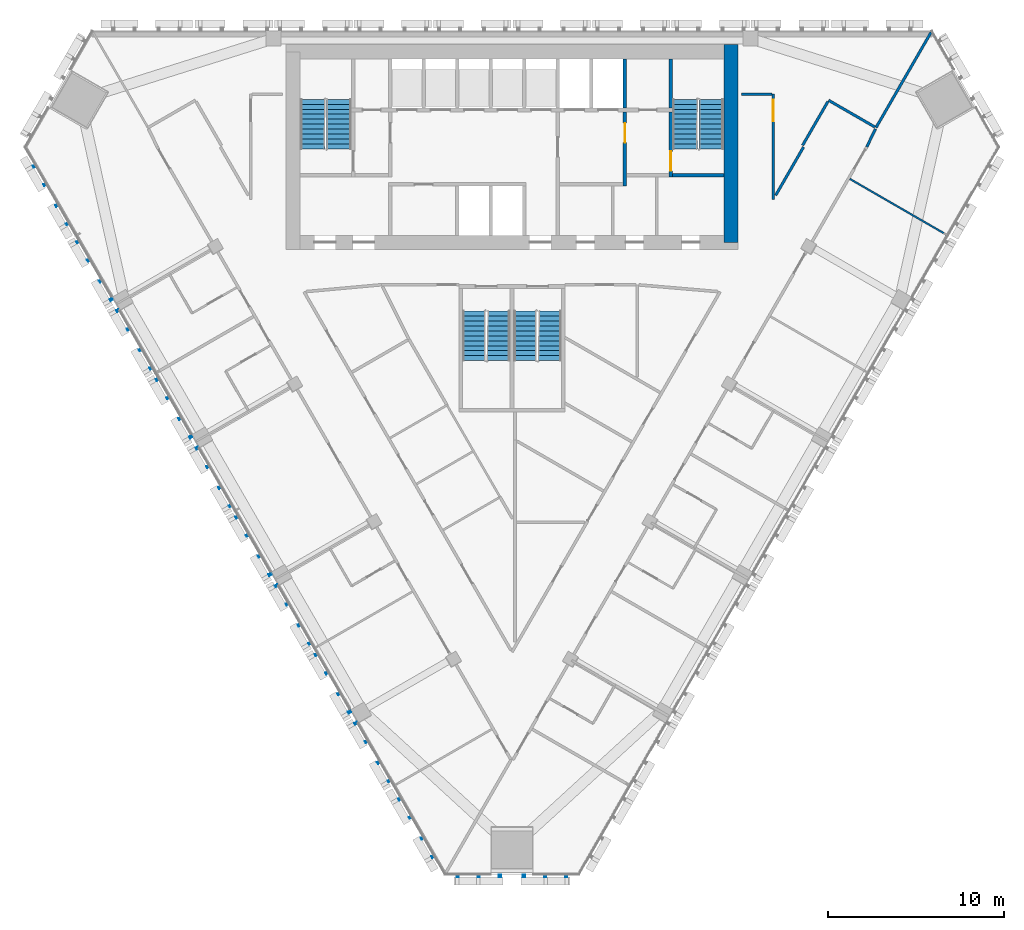
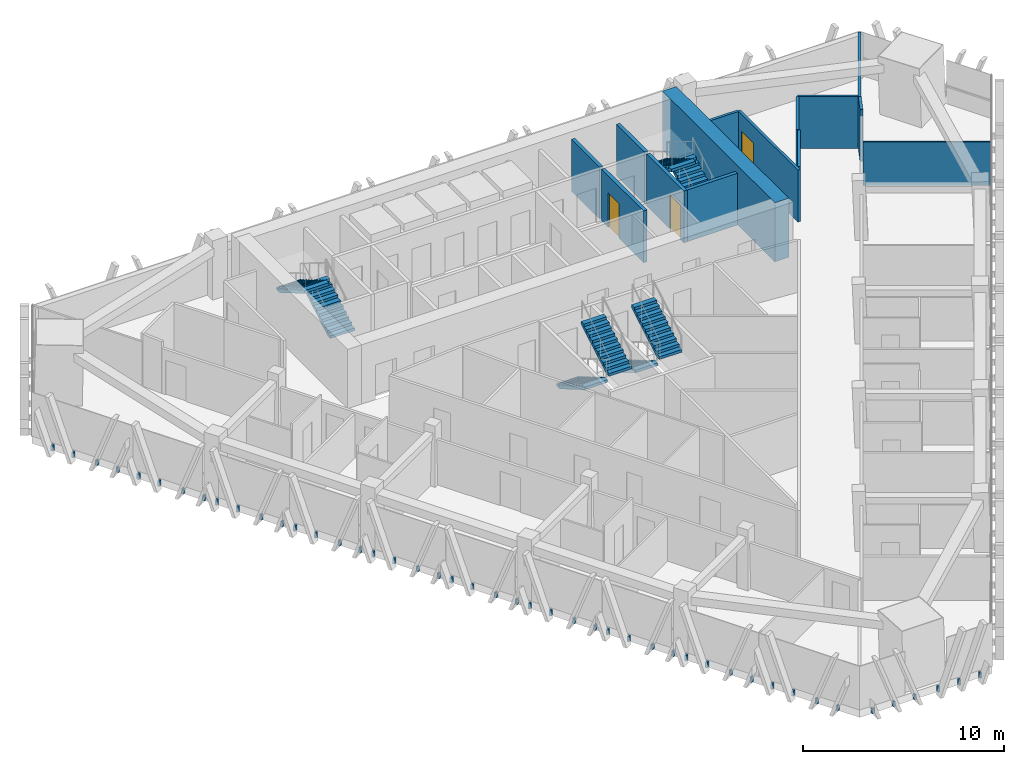
# One storey, part 12 of 16: 14 walls, 8 stair flights, 3 doors, 2 discrete accessories, 3 openings, 4 elements without a shape of their own.
"""IFC4 building model written with IfcOpenShell, lengths in metres."""

from ifc_helpers import new_model, si_unit, direction, frame, frame_2d, origin, place, context, subcontext, project, spatial, polyline, rectangle, outline, extrude, source, transform, mapped, material, layer, layer_set, type_object, element, fill, aggregate, save


model = new_model("IFC4")

# Units and contexts
model_context = context("Model", 3, precision=1e-05, world=origin(), true_north=direction((0.0, 1.0)))
body_context = subcontext(model_context, "Body", "Model", "MODEL_VIEW")
ifc_project = project(units=[si_unit("LENGTHUNIT", "METRE"), si_unit("AREAUNIT", "SQUARE_METRE"), si_unit("VOLUMEUNIT", "CUBIC_METRE"), si_unit("PLANEANGLEUNIT", "RADIAN"), si_unit("MASSUNIT", "GRAM", prefix="KILO")], contexts=[model_context])

# Site, building, storey
site_placement = place(None, origin())
site = spatial("IfcSite", under=ifc_project, at=site_placement, CompositionType="ELEMENT")
building_placement = place(site_placement, origin())
building = spatial("IfcBuilding", under=site, at=building_placement, Name="Altiplano Prism Tower", CompositionType="ELEMENT")
storey_placement = place(building_placement, frame((0.0, 0.0, 138.60009765625)))
storey = spatial("IfcBuildingStorey", under=building, at=storey_placement, Name="L35", CompositionType="ELEMENT", Elevation=138.60009765625)

# Walls
ifc_material_1 = material(Name="Concrete C60/75", Category="concrete")
ifc_layer_1 = layer(ifc_material_1, 0.800048828125)
ifc_layer_set_1 = layer_set([ifc_layer_1], Name="Concrete C60/75")
wall_type_1 = type_object("IfcWallType", Name="Core wall 800", PredefinedType="SHEAR", material=ifc_layer_set_1)
wall_1_placement = place(storey_placement, frame((97.39990234375, 93.0, 0.0), z_axis=(0.0, 0.0, 1.0), x_axis=(0.0, 1.0, 0.0)))
element("IfcWall", 1, at=wall_1_placement, inside=storey, type_object=wall_type_1, Name="Core wall E L35", PredefinedType="SHEAR", context=body_context, shape_type="SweptSolid", body=[
    extrude(rectangle(XDim=11.199951171875, YDim=0.800048828125, at=frame_2d((5.60009765625, 0.0))), origin(), (0.0, 0.0, 1.0), 3.599853515625),
])
ifc_material_2 = material(Name="Plasterboard on steel stud", Category="steel")
ifc_layer_2 = layer(ifc_material_2, 0.10009765625)
ifc_layer_set_2 = layer_set([ifc_layer_2], Name="Plasterboard on steel stud")
wall_type_2 = type_object("IfcWallType", Name="Partition 100 wet", PredefinedType="PARTITIONING", material=ifc_layer_set_2)
wall_2_placement = place(storey_placement, frame((109.6376953125, 93.42333984375, 0.0), z_axis=(0.0, 0.0, 1.0), x_axis=(-0.866025401434, 0.500000004071, 0.0)))
element("IfcWall", 2, at=wall_2_placement, inside=storey, type_object=wall_type_2, Name="Partition P03 L35 059", PredefinedType="PARTITIONING", context=body_context, shape_type="SweptSolid", body=[
    extrude(rectangle(XDim=6.34521484375, YDim=0.10009765625, at=frame_2d((3.172607421875, 0.0))), origin(), (0.0, 0.0, 1.0), 2.64990234375),
])
ifc_layer_3 = layer(ifc_material_2, 0.14990234375)
ifc_layer_set_3 = layer_set([ifc_layer_3], Name="Plasterboard on steel stud")
wall_type_3 = type_object("IfcWallType", Name="Partition 150 corridor", PredefinedType="PARTITIONING", material=ifc_layer_set_3)
wall_3_placement = place(storey_placement, frame((105.101318359375, 98.40625, 0.0), z_axis=(0.0, 0.0, 1.0), x_axis=(0.432472883735, 0.901646940234, 0.0)))
element("IfcWall", 3, at=wall_3_placement, inside=storey, type_object=wall_type_3, Name="Partition P06 L35 006", PredefinedType="PARTITIONING", context=body_context, shape_type="SweptSolid", body=[
    extrude(rectangle(XDim=1.137451171875, YDim=0.14990234375, at=frame_2d((0.56884765625, 0.0))), origin(), (0.0, 0.0, 1.0), 3.14990234375),
])
wall_4_placement = place(storey_placement, frame((105.559326171875, 99.53759765625, 0.0), z_axis=(0.0, 0.0, 1.0), x_axis=(-0.866024298998, 0.500001913541, 0.0)))
element("IfcWall", 4, at=wall_4_placement, inside=storey, type_object=wall_type_3, Name="Partition P06 L35 007", PredefinedType="PARTITIONING", context=body_context, shape_type="SweptSolid", body=[
    extrude(rectangle(XDim=3.02490234375, YDim=0.14990234375, at=frame_2d((1.512451171875, 0.0))), origin(), (0.0, 0.0, 1.0), 3.14990234375),
])
wall_5_placement = place(storey_placement, frame((102.902099609375, 100.985107421875, 0.0), z_axis=(0.0, 0.0, 1.0), x_axis=(-0.499945861543, -0.866056658381, 0.0)))
element("IfcWall", 5, at=wall_5_placement, inside=storey, type_object=wall_type_3, Name="Partition P06 L35 008", PredefinedType="PARTITIONING", context=body_context, shape_type="SweptSolid", body=[
    extrude(rectangle(XDim=2.869384765625, YDim=0.14990234375, at=frame_2d((1.4345703125, 0.0))), origin(), (0.0, 0.0, 1.0), 3.14990234375),
])
wall_6_placement = place(storey_placement, frame((101.521728515625, 98.40625, 0.0), z_axis=(0.0, 0.0, 1.0), x_axis=(-0.499998569178, -0.866026229868, 0.0)))
element("IfcWall", 6, at=wall_6_placement, inside=storey, type_object=wall_type_3, Name="Partition P06 L35 009", PredefinedType="PARTITIONING", context=body_context, shape_type="SweptSolid", body=[
    extrude(rectangle(XDim=3.16357421875, YDim=0.14990234375, at=frame_2d((1.581787109375, 0.0))), origin(), (0.0, 0.0, 1.0), 3.14990234375),
])

# Wall, opening, door
wall_7_placement = place(storey_placement, frame((99.800048828125, 95.424072265625, 0.0), z_axis=(0.0, 0.0, 1.0), x_axis=(0.0, 1.0, 0.0)))
wall_7 = element("IfcWall", 7, at=wall_7_placement, inside=storey, type_object=wall_type_3, Name="Partition P06 L35 010", PredefinedType="PARTITIONING", context=body_context, shape_type="SweptSolid", body=[
    extrude(rectangle(XDim=5.975830078125, YDim=0.14990234375, at=frame_2d((2.98779296875, 0.0))), origin(), (0.0, 0.0, 1.0), 3.14990234375),
])
opening_1_placement = place(wall_7_placement, frame((4.447021484375, 0.0, 0.0)))
opening_1 = element("IfcOpeningElement", 8, at=opening_1_placement, cuts=wall_7, Name="Opening D1286", PredefinedType="OPENING", context=body_context, shape_type="SweptSolid", body=[
    extrude(rectangle(XDim=1.199951171875, YDim=2.10009765625, at=frame_2d((0.60009765625, 1.050048828125))), frame((0.0, 0.08544921875, 0.0), z_axis=(0.0, -1.0, 0.0), x_axis=(1.0, 0.0, 0.0)), (0.0, 0.0, 1.0), 0.1708984375),
])
ifc_material_3 = material(Name="Timber", Category="wood")
door_type_1 = type_object("IfcDoorType", Name="Shared room door 1200 x 2100", OperationType="NOTDEFINED", PredefinedType="NOTDEFINED", material=ifc_material_3)
door_1_placement = place(opening_1_placement, origin())
door_1 = element("IfcDoor", 9, at=door_1_placement, inside=storey, type_object=door_type_1, Name="Door D1286", OperationType="SINGLE_SWING_RIGHT", OverallHeight=2.10009765625, OverallWidth=1.199951171875, PredefinedType="NOTDEFINED", context=body_context, shape_type="SweptSolid", body=[
    extrude(rectangle(XDim=1.199951171875, YDim=2.10009765625, at=frame_2d((0.60009765625, 1.050048828125))), frame((0.0, 0.02490234375, 0.0), z_axis=(0.0, -1.0, 0.0), x_axis=(1.0, 0.0, 0.0)), (0.0, 0.0, 1.0), 0.050048828125),
])
fill(opening_1, door_1)

# Walls
wall_8_placement = place(storey_placement, frame((99.72509765625, 101.39990234375, 0.0), z_axis=(0.0, 0.0, 1.0), x_axis=(-1.0, 0.0, 0.0)))
element("IfcWall", 10, at=wall_8_placement, inside=storey, type_object=wall_type_3, Name="Partition P06 L35 011", PredefinedType="PARTITIONING", context=body_context, shape_type="SweptSolid", body=[
    extrude(rectangle(XDim=1.72509765625, YDim=0.14990234375, at=frame_2d((0.862548828125, 0.0))), origin(), (0.0, 0.0, 1.0), 3.14990234375),
])
ifc_layer_4 = layer(ifc_material_2, 0.14990234375)
ifc_layer_set_4 = layer_set([ifc_layer_4], Name="Plasterboard on steel stud")
wall_type_4 = type_object("IfcWallType", Name="Partition 150 party", PredefinedType="PARTITIONING", material=ifc_layer_set_4)
wall_9_placement = place(storey_placement, frame((108.741943359375, 104.89990234375, 0.0), z_axis=(0.0, 0.0, 1.0), x_axis=(-0.500004896655, -0.866022576681, 0.0)))
element("IfcWall", 11, at=wall_9_placement, inside=storey, type_object=wall_type_4, Name="Partition P01 L35 060", PredefinedType="PARTITIONING", context=body_context, shape_type="SweptSolid", body=[
    extrude(rectangle(XDim=6.2353515625, YDim=0.14990234375, at=frame_2d((3.11767578125, 0.0))), origin(), (0.0, 0.0, 1.0), 2.64990234375),
])
ifc_layer_5 = layer(ifc_material_1, 0.199951171875)
ifc_layer_set_5 = layer_set([ifc_layer_5], Name="Concrete C60/75")
wall_type_5 = type_object("IfcWallType", Name="Shaft wall 200", PredefinedType="SOLIDWALL", material=ifc_layer_set_5)
wall_10_placement = place(storey_placement, frame((91.39990234375, 100.60009765625, 0.0), z_axis=(0.0, 0.0, 1.0), x_axis=(0.0, 1.0, 0.0)))
element("IfcWall", 12, at=wall_10_placement, inside=storey, type_object=wall_type_5, Name="Shaft wall L35", PredefinedType="SOLIDWALL", context=body_context, shape_type="SweptSolid", body=[
    extrude(rectangle(XDim=2.7998046875, YDim=0.199951171875, at=frame_2d((1.39990234375, 0.0))), origin(), (0.0, 0.0, 1.0), 3.14990234375),
])

# Wall, opening, door
ifc_layer_6 = layer(ifc_material_1, 0.199951171875)
ifc_layer_set_6 = layer_set([ifc_layer_6], Name="Concrete C60/75")
wall_type_6 = type_object("IfcWallType", Name="Stair wall 200", PredefinedType="SOLIDWALL", material=ifc_layer_set_6)
wall_11_placement = place(storey_placement, frame((94.0, 96.699951171875, 0.0), z_axis=(0.0, 0.0, 1.0), x_axis=(0.0, 1.0, 0.0)))
wall_11 = element("IfcWall", 13, at=wall_11_placement, inside=storey, type_object=wall_type_6, Name="Stair wall L35", PredefinedType="SOLIDWALL", context=body_context, shape_type="SweptSolid", body=[
    extrude(rectangle(XDim=3.699951171875, YDim=0.199951171875, at=frame_2d((1.85009765625, 0.0))), origin(), (0.0, 0.0, 1.0), 3.14990234375),
])
opening_2_placement = place(wall_11_placement, frame((0.35009765625, 0.0, 0.0)))
opening_2 = element("IfcOpeningElement", 14, at=opening_2_placement, cuts=wall_11, Name="Opening D3054", PredefinedType="OPENING", context=body_context, shape_type="SweptSolid", body=[
    extrude(rectangle(XDim=1.10009765625, YDim=2.10009765625, at=frame_2d((0.550048828125, 1.050048828125))), frame((0.0, 0.1103515625, 0.0), z_axis=(0.0, -1.0, 0.0), x_axis=(1.0, 0.0, 0.0)), (0.0, 0.0, 1.0), 0.220947265625),
])
ifc_material_4 = material(Name="Fire-rated steel door", Category="steel")
door_type_2 = type_object("IfcDoorType", Name="Stair fire door 1100 x 2100", OperationType="NOTDEFINED", PredefinedType="NOTDEFINED", material=ifc_material_4)
door_2_placement = place(opening_2_placement, origin())
door_2 = element("IfcDoor", 15, at=door_2_placement, inside=storey, type_object=door_type_2, Name="Stair fire door D3054", OperationType="SINGLE_SWING_LEFT", OverallHeight=2.10009765625, OverallWidth=1.10009765625, PredefinedType="NOTDEFINED", context=body_context, shape_type="SweptSolid", body=[
    extrude(rectangle(XDim=1.10009765625, YDim=2.10009765625, at=frame_2d((0.550048828125, 1.050048828125))), frame((0.0, 0.02490234375, 0.0), z_axis=(0.0, -1.0, 0.0), x_axis=(1.0, 0.0, 0.0)), (0.0, 0.0, 1.0), 0.050048828125),
])
fill(opening_2, door_2)

# Walls
wall_12_placement = place(storey_placement, frame((94.10009765625, 96.800048828125, 0.0), z_axis=(0.0, 0.0, 1.0), x_axis=(1.0, 0.0, 0.0)))
element("IfcWall", 16, at=wall_12_placement, inside=storey, type_object=wall_type_6, Name="Stair wall L35", PredefinedType="SOLIDWALL", context=body_context, shape_type="SweptSolid", body=[
    extrude(rectangle(XDim=2.89990234375, YDim=0.199951171875, at=frame_2d((1.449951171875, 0.0))), origin(), (0.0, 0.0, 1.0), 3.14990234375),
])
wall_13_placement = place(storey_placement, frame((94.0, 100.60009765625, 0.0), z_axis=(0.0, 0.0, 1.0), x_axis=(0.0, 1.0, 0.0)))
element("IfcWall", 17, at=wall_13_placement, inside=storey, type_object=wall_type_6, Name="Stair wall L35", PredefinedType="SOLIDWALL", context=body_context, shape_type="SweptSolid", body=[
    extrude(rectangle(XDim=2.7998046875, YDim=0.199951171875, at=frame_2d((1.39990234375, 0.0))), origin(), (0.0, 0.0, 1.0), 3.14990234375),
])

# Wall, opening, door
ifc_layer_7 = layer(ifc_material_1, 0.199951171875)
ifc_layer_set_7 = layer_set([ifc_layer_7], Name="Concrete C60/75")
wall_type_7 = type_object("IfcWallType", Name="Vestibule wall 200", PredefinedType="PARTITIONING", material=ifc_layer_set_7)
wall_14_placement = place(storey_placement, frame((91.39990234375, 96.199951171875, 0.0), z_axis=(0.0, 0.0, 1.0), x_axis=(0.0, 1.0, 0.0)))
wall_14 = element("IfcWall", 18, at=wall_14_placement, inside=storey, type_object=wall_type_7, Name="Vestibule wall L35", PredefinedType="PARTITIONING", context=body_context, shape_type="SweptSolid", body=[
    extrude(rectangle(XDim=4.199951171875, YDim=0.199951171875, at=frame_2d((2.10009765625, 0.0))), origin(), (0.0, 0.0, 1.0), 3.14990234375),
])
opening_3_placement = place(wall_14_placement, frame((2.449951171875, 0.0, 0.0)))
opening_3 = element("IfcOpeningElement", 19, at=opening_3_placement, cuts=wall_14, Name="Opening D3057", PredefinedType="OPENING", context=body_context, shape_type="SweptSolid", body=[
    extrude(rectangle(XDim=1.10009765625, YDim=2.10009765625, at=frame_2d((0.550048828125, 1.050048828125))), frame((0.0, 0.1103515625, 0.0), z_axis=(0.0, -1.0, 0.0), x_axis=(1.0, 0.0, 0.0)), (0.0, 0.0, 1.0), 0.220947265625),
])
door_type_3 = type_object("IfcDoorType", Name="Vestibule fire door 1100 x 2100", OperationType="NOTDEFINED", PredefinedType="NOTDEFINED", material=ifc_material_4)
door_3_placement = place(opening_3_placement, origin())
door_3 = element("IfcDoor", 20, at=door_3_placement, inside=storey, type_object=door_type_3, Name="Vestibule fire door D3057", OperationType="SINGLE_SWING_LEFT", OverallHeight=2.10009765625, OverallWidth=1.10009765625, PredefinedType="NOTDEFINED", context=body_context, shape_type="SweptSolid", body=[
    extrude(rectangle(XDim=1.10009765625, YDim=2.10009765625, at=frame_2d((0.550048828125, 1.050048828125))), frame((0.0, 0.02490234375, 0.0), z_axis=(0.0, -1.0, 0.0), x_axis=(1.0, 0.0, 0.0)), (0.0, 0.0, 1.0), 0.050048828125),
])
fill(opening_3, door_3)

# Stair, stair flights
ifc_material_5 = material(Name="Concrete C40/50", Category="concrete")
stair_type_1 = type_object("IfcStairType", Name="Exit stair 1400", PredefinedType="HALF_TURN_STAIR", material=ifc_material_5)
stair_1_placement = place(storey_placement, origin())
stair_1 = element("IfcStair", 21, at=stair_1_placement, inside=storey, type_object=stair_type_1, Name="L35 Exit Stair 1", PredefinedType="HALF_TURN_STAIR")
stair_flight_type = type_object("IfcStairFlightType", Name="Stair flight concrete 150", PredefinedType="STRAIGHT", material=ifc_material_5)
stair_flight_1_placement = place(storey_placement, frame((75.199951171875, 98.300048828125, 0.0), z_axis=(0.0, 0.0, 1.0), x_axis=(0.0, 1.0, 0.0)))
stair_flight_1 = element("IfcStairFlight", 22, at=stair_flight_1_placement, type_object=stair_flight_type, Name="ST1 flight 1", NumberOfRisers=11, NumberOfTreads=10, PredefinedType="STRAIGHT", RiserHeight=0.163636364, TreadLength=0.28, context=body_context, shape_type="SweptSolid", body=[
    extrude(outline(polyline([(0.0, 0.0), (0.0, 0.16357421875), (0.280029296875, 0.16357421875), (0.280029296875, 0.327392578125), (0.56005859375, 0.327392578125), (0.56005859375, 0.490966796875), (0.840087890625, 0.490966796875), (0.840087890625, 0.654541015625), (1.1201171875, 0.654541015625), (1.1201171875, 0.818115234375), (1.39990234375, 0.818115234375), (1.39990234375, 0.98193359375), (1.679931640625, 0.98193359375), (1.679931640625, 1.1455078125), (1.9599609375, 1.1455078125), (1.9599609375, 1.30908203125), (2.239990234375, 1.30908203125), (2.239990234375, 1.47265625), (2.52001953125, 1.47265625), (2.52001953125, 1.636474609375), (2.800048828125, 1.636474609375), (2.800048828125, 1.800048828125), (2.800048828125, 1.462646484375), (0.297119140625, 0.0), (0.0, 0.0)])), frame((0.0, 0.699951171875, 0.0), z_axis=(0.0, -1.0, 0.0), x_axis=(1.0, 0.0, 0.0)), (0.0, 0.0, 1.0), 1.39990234375),
])
stair_flight_2_placement = place(storey_placement, frame((73.699951171875, 101.10009765625, 1.7998046875), z_axis=(0.0, 0.0, 1.0), x_axis=(0.0, -1.0, 0.0)))
stair_flight_2 = element("IfcStairFlight", 23, at=stair_flight_2_placement, type_object=stair_flight_type, Name="ST1 flight 2", NumberOfRisers=11, NumberOfTreads=10, PredefinedType="STRAIGHT", RiserHeight=0.163636364, TreadLength=0.28, context=body_context, shape_type="SweptSolid", body=[
    extrude(outline(polyline([(0.0, 0.0), (0.0, 0.16357421875), (0.280029296875, 0.16357421875), (0.280029296875, 0.327392578125), (0.56005859375, 0.327392578125), (0.56005859375, 0.490966796875), (0.840087890625, 0.490966796875), (0.840087890625, 0.654541015625), (1.1201171875, 0.654541015625), (1.1201171875, 0.818115234375), (1.39990234375, 0.818115234375), (1.39990234375, 0.98193359375), (1.679931640625, 0.98193359375), (1.679931640625, 1.1455078125), (1.9599609375, 1.1455078125), (1.9599609375, 1.30908203125), (2.239990234375, 1.30908203125), (2.239990234375, 1.47265625), (2.52001953125, 1.47265625), (2.52001953125, 1.636474609375), (2.800048828125, 1.636474609375), (2.800048828125, 1.800048828125), (2.800048828125, 1.462646484375), (0.297119140625, 0.0), (0.0, 0.0)])), frame((0.0, 0.699951171875, 0.0), z_axis=(0.0, -1.0, 0.0), x_axis=(1.0, 0.0, 0.0)), (0.0, 0.0, 1.0), 1.39990234375),
])
aggregate(stair_1, [stair_flight_1, stair_flight_2])

stair_2_placement = place(storey_placement, origin())
stair_2 = element("IfcStair", 24, at=stair_2_placement, inside=storey, type_object=stair_type_1, Name="L35 Exit Stair 2", PredefinedType="HALF_TURN_STAIR")
stair_flight_3_placement = place(storey_placement, frame((96.300048828125, 98.300048828125, 0.0), z_axis=(0.0, 0.0, 1.0), x_axis=(0.0, 1.0, 0.0)))
stair_flight_3 = element("IfcStairFlight", 25, at=stair_flight_3_placement, type_object=stair_flight_type, Name="ST2 flight 1", NumberOfRisers=11, NumberOfTreads=10, PredefinedType="STRAIGHT", RiserHeight=0.163636364, TreadLength=0.28, context=body_context, shape_type="SweptSolid", body=[
    extrude(outline(polyline([(0.0, 0.0), (0.0, 0.16357421875), (0.280029296875, 0.16357421875), (0.280029296875, 0.327392578125), (0.56005859375, 0.327392578125), (0.56005859375, 0.490966796875), (0.840087890625, 0.490966796875), (0.840087890625, 0.654541015625), (1.1201171875, 0.654541015625), (1.1201171875, 0.818115234375), (1.39990234375, 0.818115234375), (1.39990234375, 0.98193359375), (1.679931640625, 0.98193359375), (1.679931640625, 1.1455078125), (1.9599609375, 1.1455078125), (1.9599609375, 1.30908203125), (2.239990234375, 1.30908203125), (2.239990234375, 1.47265625), (2.52001953125, 1.47265625), (2.52001953125, 1.636474609375), (2.800048828125, 1.636474609375), (2.800048828125, 1.800048828125), (2.800048828125, 1.462646484375), (0.297119140625, 0.0), (0.0, 0.0)])), frame((0.0, 0.699951171875, 0.0), z_axis=(0.0, -1.0, 0.0), x_axis=(1.0, 0.0, 0.0)), (0.0, 0.0, 1.0), 1.39990234375),
])
stair_flight_4_placement = place(storey_placement, frame((94.800048828125, 101.10009765625, 1.7998046875), z_axis=(0.0, 0.0, 1.0), x_axis=(0.0, -1.0, 0.0)))
stair_flight_4 = element("IfcStairFlight", 26, at=stair_flight_4_placement, type_object=stair_flight_type, Name="ST2 flight 2", NumberOfRisers=11, NumberOfTreads=10, PredefinedType="STRAIGHT", RiserHeight=0.163636364, TreadLength=0.28, context=body_context, shape_type="SweptSolid", body=[
    extrude(outline(polyline([(0.0, 0.0), (0.0, 0.16357421875), (0.280029296875, 0.16357421875), (0.280029296875, 0.327392578125), (0.56005859375, 0.327392578125), (0.56005859375, 0.490966796875), (0.840087890625, 0.490966796875), (0.840087890625, 0.654541015625), (1.1201171875, 0.654541015625), (1.1201171875, 0.818115234375), (1.39990234375, 0.818115234375), (1.39990234375, 0.98193359375), (1.679931640625, 0.98193359375), (1.679931640625, 1.1455078125), (1.9599609375, 1.1455078125), (1.9599609375, 1.30908203125), (2.239990234375, 1.30908203125), (2.239990234375, 1.47265625), (2.52001953125, 1.47265625), (2.52001953125, 1.636474609375), (2.800048828125, 1.636474609375), (2.800048828125, 1.800048828125), (2.800048828125, 1.462646484375), (0.297119140625, 0.0), (0.0, 0.0)])), frame((0.0, 0.699951171875, 0.0), z_axis=(0.0, -1.0, 0.0), x_axis=(1.0, 0.0, 0.0)), (0.0, 0.0, 1.0), 1.39990234375),
])
aggregate(stair_2, [stair_flight_3, stair_flight_4])

stair_type_2 = type_object("IfcStairType", Name="Exit stair 1300", PredefinedType="HALF_TURN_STAIR", material=ifc_material_5)
stair_3_placement = place(storey_placement, origin())
stair_3 = element("IfcStair", 27, at=stair_3_placement, inside=storey, type_object=stair_type_2, Name="L35 Exit Stair 3A", PredefinedType="HALF_TURN_STAIR")
stair_flight_5_placement = place(storey_placement, frame((82.85009765625, 89.10009765625, 0.0), z_axis=(0.0, 0.0, 1.0), x_axis=(0.0, -1.0, 0.0)))
stair_flight_5 = element("IfcStairFlight", 28, at=stair_flight_5_placement, type_object=stair_flight_type, Name="ST3A flight 1", NumberOfRisers=11, NumberOfTreads=10, PredefinedType="STRAIGHT", RiserHeight=0.163636364, TreadLength=0.28, context=body_context, shape_type="SweptSolid", body=[
    extrude(outline(polyline([(0.0, 0.0), (0.0, 0.16357421875), (0.280029296875, 0.16357421875), (0.280029296875, 0.327392578125), (0.56005859375, 0.327392578125), (0.56005859375, 0.490966796875), (0.840087890625, 0.490966796875), (0.840087890625, 0.654541015625), (1.1201171875, 0.654541015625), (1.1201171875, 0.818115234375), (1.39990234375, 0.818115234375), (1.39990234375, 0.98193359375), (1.679931640625, 0.98193359375), (1.679931640625, 1.1455078125), (1.9599609375, 1.1455078125), (1.9599609375, 1.30908203125), (2.239990234375, 1.30908203125), (2.239990234375, 1.47265625), (2.52001953125, 1.47265625), (2.52001953125, 1.636474609375), (2.800048828125, 1.636474609375), (2.800048828125, 1.800048828125), (2.800048828125, 1.462646484375), (0.297119140625, 0.0), (0.0, 0.0)])), frame((0.0, 0.64990234375, 0.0), z_axis=(0.0, -1.0, 0.0), x_axis=(1.0, 0.0, 0.0)), (0.0, 0.0, 1.0), 1.300048828125),
])
stair_flight_6_placement = place(storey_placement, frame((84.25, 86.300048828125, 1.7998046875), z_axis=(0.0, 0.0, 1.0), x_axis=(0.0, 1.0, 0.0)))
stair_flight_6 = element("IfcStairFlight", 29, at=stair_flight_6_placement, type_object=stair_flight_type, Name="ST3A flight 2", NumberOfRisers=11, NumberOfTreads=10, PredefinedType="STRAIGHT", RiserHeight=0.163636364, TreadLength=0.28, context=body_context, shape_type="SweptSolid", body=[
    extrude(outline(polyline([(0.0, 0.0), (0.0, 0.16357421875), (0.280029296875, 0.16357421875), (0.280029296875, 0.327392578125), (0.56005859375, 0.327392578125), (0.56005859375, 0.490966796875), (0.840087890625, 0.490966796875), (0.840087890625, 0.654541015625), (1.1201171875, 0.654541015625), (1.1201171875, 0.818115234375), (1.39990234375, 0.818115234375), (1.39990234375, 0.98193359375), (1.679931640625, 0.98193359375), (1.679931640625, 1.1455078125), (1.9599609375, 1.1455078125), (1.9599609375, 1.30908203125), (2.239990234375, 1.30908203125), (2.239990234375, 1.47265625), (2.52001953125, 1.47265625), (2.52001953125, 1.636474609375), (2.800048828125, 1.636474609375), (2.800048828125, 1.800048828125), (2.800048828125, 1.462646484375), (0.297119140625, 0.0), (0.0, 0.0)])), frame((0.0, 0.64990234375, 0.0), z_axis=(0.0, -1.0, 0.0), x_axis=(1.0, 0.0, 0.0)), (0.0, 0.0, 1.0), 1.300048828125),
])
aggregate(stair_3, [stair_flight_5, stair_flight_6])

stair_4_placement = place(storey_placement, origin())
stair_4 = element("IfcStair", 30, at=stair_4_placement, inside=storey, type_object=stair_type_2, Name="L35 Exit Stair 3B", PredefinedType="HALF_TURN_STAIR")
stair_flight_7_placement = place(storey_placement, frame((85.75, 89.10009765625, 0.0), z_axis=(0.0, 0.0, 1.0), x_axis=(0.0, -1.0, 0.0)))
stair_flight_7 = element("IfcStairFlight", 31, at=stair_flight_7_placement, type_object=stair_flight_type, Name="ST3B flight 1", NumberOfRisers=11, NumberOfTreads=10, PredefinedType="STRAIGHT", RiserHeight=0.163636364, TreadLength=0.28, context=body_context, shape_type="SweptSolid", body=[
    extrude(outline(polyline([(0.0, 0.0), (0.0, 0.16357421875), (0.280029296875, 0.16357421875), (0.280029296875, 0.327392578125), (0.56005859375, 0.327392578125), (0.56005859375, 0.490966796875), (0.840087890625, 0.490966796875), (0.840087890625, 0.654541015625), (1.1201171875, 0.654541015625), (1.1201171875, 0.818115234375), (1.39990234375, 0.818115234375), (1.39990234375, 0.98193359375), (1.679931640625, 0.98193359375), (1.679931640625, 1.1455078125), (1.9599609375, 1.1455078125), (1.9599609375, 1.30908203125), (2.239990234375, 1.30908203125), (2.239990234375, 1.47265625), (2.52001953125, 1.47265625), (2.52001953125, 1.636474609375), (2.800048828125, 1.636474609375), (2.800048828125, 1.800048828125), (2.800048828125, 1.462646484375), (0.297119140625, 0.0), (0.0, 0.0)])), frame((0.0, 0.64990234375, 0.0), z_axis=(0.0, -1.0, 0.0), x_axis=(1.0, 0.0, 0.0)), (0.0, 0.0, 1.0), 1.300048828125),
])
stair_flight_8_placement = place(storey_placement, frame((87.14990234375, 86.300048828125, 1.7998046875), z_axis=(0.0, 0.0, 1.0), x_axis=(0.0, 1.0, 0.0)))
stair_flight_8 = element("IfcStairFlight", 32, at=stair_flight_8_placement, type_object=stair_flight_type, Name="ST3B flight 2", NumberOfRisers=11, NumberOfTreads=10, PredefinedType="STRAIGHT", RiserHeight=0.163636364, TreadLength=0.28, context=body_context, shape_type="SweptSolid", body=[
    extrude(outline(polyline([(0.0, 0.0), (0.0, 0.16357421875), (0.280029296875, 0.16357421875), (0.280029296875, 0.327392578125), (0.56005859375, 0.327392578125), (0.56005859375, 0.490966796875), (0.840087890625, 0.490966796875), (0.840087890625, 0.654541015625), (1.1201171875, 0.654541015625), (1.1201171875, 0.818115234375), (1.39990234375, 0.818115234375), (1.39990234375, 0.98193359375), (1.679931640625, 0.98193359375), (1.679931640625, 1.1455078125), (1.9599609375, 1.1455078125), (1.9599609375, 1.30908203125), (2.239990234375, 1.30908203125), (2.239990234375, 1.47265625), (2.52001953125, 1.47265625), (2.52001953125, 1.636474609375), (2.800048828125, 1.636474609375), (2.800048828125, 1.800048828125), (2.800048828125, 1.462646484375), (0.297119140625, 0.0), (0.0, 0.0)])), frame((0.0, 0.64990234375, 0.0), z_axis=(0.0, -1.0, 0.0), x_axis=(1.0, 0.0, 0.0)), (0.0, 0.0, 1.0), 1.300048828125),
])
aggregate(stair_4, [stair_flight_7, stair_flight_8])

# Discrete accessories
ifc_material_6 = material(Name="Stainless steel", Category="steel")
discrete_accessory_type = type_object("IfcDiscreteAccessoryType", Name="Stone fin fixing prongs", PredefinedType="USERDEFINED", material=ifc_material_6)
shared_shape_1 = source(origin(), body_context, "Body", "SweptSolid", [
    extrude(outline(polyline([(-1.94189453125, 0.06005859375), (-1.822021484375, 0.06005859375), (-1.822021484375, 0.389892578125), (-1.94189453125, 0.389892578125), (-1.94189453125, 0.06005859375)])), frame((0.0, 0.0, 0.0), z_axis=(0.0, -1.0, 0.0), x_axis=(1.0, 0.0, 0.0)), (0.0, 0.0, 1.0), 0.14990234375),
    extrude(outline(polyline([(-0.741943359375, 0.06005859375), (-0.621826171875, 0.06005859375), (-0.621826171875, 0.389892578125), (-0.741943359375, 0.389892578125), (-0.741943359375, 0.06005859375)])), frame((0.0, 0.0, 0.0), z_axis=(0.0, -1.0, 0.0), x_axis=(1.0, 0.0, 0.0)), (0.0, 0.0, 1.0), 0.14990234375),
    extrude(outline(polyline([(0.621826171875, 0.06005859375), (0.741943359375, 0.06005859375), (0.741943359375, 0.389892578125), (0.621826171875, 0.389892578125), (0.621826171875, 0.06005859375)])), frame((0.0, 0.0, 0.0), z_axis=(0.0, -1.0, 0.0), x_axis=(1.0, 0.0, 0.0)), (0.0, 0.0, 1.0), 0.14990234375),
    extrude(outline(polyline([(1.822021484375, 0.06005859375), (1.94189453125, 0.06005859375), (1.94189453125, 0.389892578125), (1.822021484375, 0.389892578125), (1.822021484375, 0.06005859375)])), frame((0.0, 0.0, 0.0), z_axis=(0.0, -1.0, 0.0), x_axis=(1.0, 0.0, 0.0)), (0.0, 0.0, 1.0), 0.14990234375),
])
shared_shape_2 = source(origin(), body_context, "Body", "SweptSolid", [
    extrude(outline(polyline([(-1.94189453125, 0.06005859375), (-1.822021484375, 0.06005859375), (-1.822021484375, 0.389892578125), (-1.94189453125, 0.389892578125), (-1.94189453125, 0.06005859375)])), frame((0.0, 0.0, 0.0), z_axis=(0.0, -1.0, 0.0), x_axis=(1.0, 0.0, 0.0)), (0.0, 0.0, 1.0), 0.14990234375),
    extrude(outline(polyline([(-0.741943359375, 0.06005859375), (-0.621826171875, 0.06005859375), (-0.621826171875, 0.389892578125), (-0.741943359375, 0.389892578125), (-0.741943359375, 0.06005859375)])), frame((0.0, 0.0, 0.0), z_axis=(0.0, -1.0, 0.0), x_axis=(1.0, 0.0, 0.0)), (0.0, 0.0, 1.0), 0.14990234375),
    extrude(outline(polyline([(0.621826171875, 0.06005859375), (0.741943359375, 0.06005859375), (0.741943359375, 0.389892578125), (0.621826171875, 0.389892578125), (0.621826171875, 0.06005859375)])), frame((0.0, 0.0, 0.0), z_axis=(0.0, -1.0, 0.0), x_axis=(1.0, 0.0, 0.0)), (0.0, 0.0, 1.0), 0.14990234375),
    extrude(outline(polyline([(1.822021484375, 0.06005859375), (1.94189453125, 0.06005859375), (1.94189453125, 0.389892578125), (1.822021484375, 0.389892578125), (1.822021484375, 0.06005859375)])), frame((0.0, 0.0, 0.0), z_axis=(0.0, -1.0, 0.0), x_axis=(1.0, 0.0, 0.0)), (0.0, 0.0, 1.0), 0.14990234375),
])
discrete_accessory_1_placement = place(storey_placement, origin())
element("IfcDiscreteAccessory", 33, at=discrete_accessory_1_placement, inside=storey, type_object=discrete_accessory_type, Name="Fin fixings L35 south-west face", ObjectType="BRACKET", PredefinedType="USERDEFINED", context=body_context, shape_type="MappedRepresentation", body=[
    mapped(shared_shape_1, transform((58.943115234375, 95.7216796875, -0.4501953125), x_axis=(0.499999989809, -0.866025409668, 0.0), y_axis=(0.866025409668, 0.499999989809, 0.0), z_axis=(0.0, 0.0, 1.0))),
    mapped(shared_shape_2, transform((61.418212890625, 91.434814453125, -0.4501953125), x_axis=(0.499999989809, -0.866025409668, 0.0), y_axis=(0.866025409668, 0.499999989809, 0.0), z_axis=(0.0, 0.0, 1.0))),
    mapped(shared_shape_2, transform((63.668212890625, 87.53759765625, -0.4501953125), x_axis=(0.499999989809, -0.866025409668, 0.0), y_axis=(0.866025409668, 0.499999989809, 0.0), z_axis=(0.0, 0.0, 1.0))),
    mapped(shared_shape_2, transform((65.918212890625, 83.640625, -0.4501953125), x_axis=(0.499999989809, -0.866025409668, 0.0), y_axis=(0.866025409668, 0.499999989809, 0.0), z_axis=(0.0, 0.0, 1.0))),
    mapped(shared_shape_2, transform((68.168212890625, 79.743408203125, -0.4501953125), x_axis=(0.499999989809, -0.866025409668, 0.0), y_axis=(0.866025409668, 0.499999989809, 0.0), z_axis=(0.0, 0.0, 1.0))),
    mapped(shared_shape_2, transform((70.418212890625, 75.846435546875, -0.4501953125), x_axis=(0.499999989809, -0.866025409668, 0.0), y_axis=(0.866025409668, 0.499999989809, 0.0), z_axis=(0.0, 0.0, 1.0))),
    mapped(shared_shape_2, transform((72.668212890625, 71.94921875, -0.4501953125), x_axis=(0.499999989809, -0.866025409668, 0.0), y_axis=(0.866025409668, 0.499999989809, 0.0), z_axis=(0.0, 0.0, 1.0))),
    mapped(shared_shape_2, transform((74.918212890625, 68.05224609375, -0.4501953125), x_axis=(0.499999989809, -0.866025409668, 0.0), y_axis=(0.866025409668, 0.499999989809, 0.0), z_axis=(0.0, 0.0, 1.0))),
    mapped(shared_shape_2, transform((77.168212890625, 64.155029296875, -0.4501953125), x_axis=(0.499999989809, -0.866025409668, 0.0), y_axis=(0.866025409668, 0.499999989809, 0.0), z_axis=(0.0, 0.0, 1.0))),
    mapped(shared_shape_1, transform((79.64306640625, 59.868408203125, -0.4501953125), x_axis=(0.499999989809, -0.866025409668, 0.0), y_axis=(0.866025409668, 0.499999989809, 0.0), z_axis=(0.0, 0.0, 1.0))),
])
shared_shape_3 = source(origin(), body_context, "Body", "SweptSolid", [
    extrude(outline(polyline([(-3.141845703125, 0.06005859375), (-3.02197265625, 0.06005859375), (-3.02197265625, 0.389892578125), (-3.141845703125, 0.389892578125), (-3.141845703125, 0.06005859375)])), frame((0.0, 0.0, 0.0), z_axis=(0.0, -1.0, 0.0), x_axis=(1.0, 0.0, 0.0)), (0.0, 0.0, 1.0), 0.14990234375),
    extrude(outline(polyline([(-1.94189453125, 0.06005859375), (-1.822021484375, 0.06005859375), (-1.822021484375, 0.389892578125), (-1.94189453125, 0.389892578125), (-1.94189453125, 0.06005859375)])), frame((0.0, 0.0, 0.0), z_axis=(0.0, -1.0, 0.0), x_axis=(1.0, 0.0, 0.0)), (0.0, 0.0, 1.0), 0.14990234375),
    extrude(outline(polyline([(-0.741943359375, 0.06005859375), (-0.621826171875, 0.06005859375), (-0.621826171875, 0.389892578125), (-0.741943359375, 0.389892578125), (-0.741943359375, 0.06005859375)])), frame((0.0, 0.0, 0.0), z_axis=(0.0, -1.0, 0.0), x_axis=(1.0, 0.0, 0.0)), (0.0, 0.0, 1.0), 0.14990234375),
    extrude(outline(polyline([(0.621826171875, 0.06005859375), (0.741943359375, 0.06005859375), (0.741943359375, 0.389892578125), (0.621826171875, 0.389892578125), (0.621826171875, 0.06005859375)])), frame((0.0, 0.0, 0.0), z_axis=(0.0, -1.0, 0.0), x_axis=(1.0, 0.0, 0.0)), (0.0, 0.0, 1.0), 0.14990234375),
    extrude(outline(polyline([(1.822021484375, 0.06005859375), (1.94189453125, 0.06005859375), (1.94189453125, 0.389892578125), (1.822021484375, 0.389892578125), (1.822021484375, 0.06005859375)])), frame((0.0, 0.0, 0.0), z_axis=(0.0, -1.0, 0.0), x_axis=(1.0, 0.0, 0.0)), (0.0, 0.0, 1.0), 0.14990234375),
    extrude(outline(polyline([(3.02197265625, 0.06005859375), (3.141845703125, 0.06005859375), (3.141845703125, 0.389892578125), (3.02197265625, 0.389892578125), (3.02197265625, 0.06005859375)])), frame((0.0, 0.0, 0.0), z_axis=(0.0, -1.0, 0.0), x_axis=(1.0, 0.0, 0.0)), (0.0, 0.0, 1.0), 0.14990234375),
])
discrete_accessory_2_placement = place(storey_placement, origin())
element("IfcDiscreteAccessory", 34, at=discrete_accessory_2_placement, inside=storey, type_object=discrete_accessory_type, Name="Fin fixings L35 south chamfer", ObjectType="BRACKET", PredefinedType="USERDEFINED", context=body_context, shape_type="MappedRepresentation", body=[
    mapped(shared_shape_3, transform((85.0, 57.18359375, -0.4501953125), x_axis=(1.0, 0.0, 0.0), y_axis=(0.0, 1.0, 0.0), z_axis=(0.0, 0.0, 1.0))),
])

save(model, "model.ifc")
